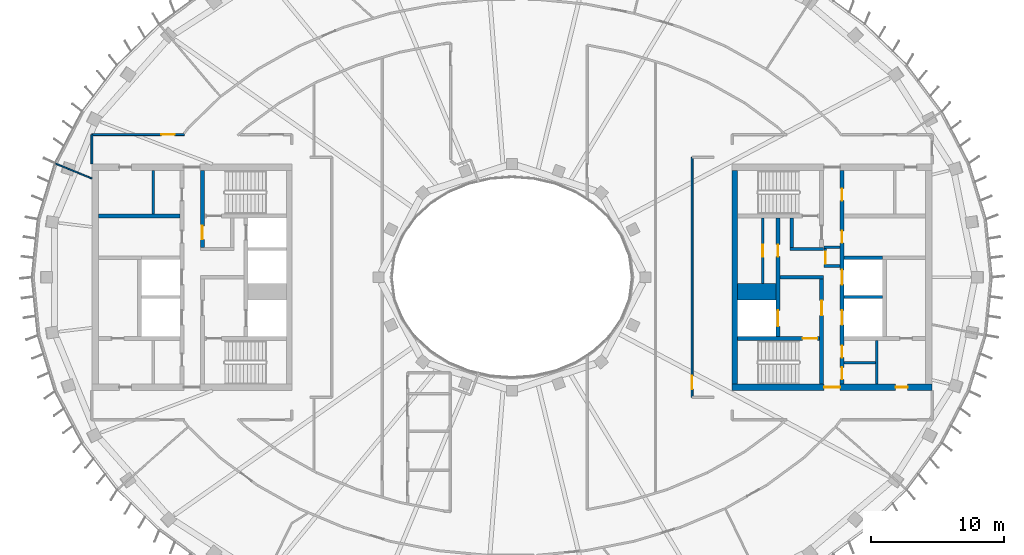
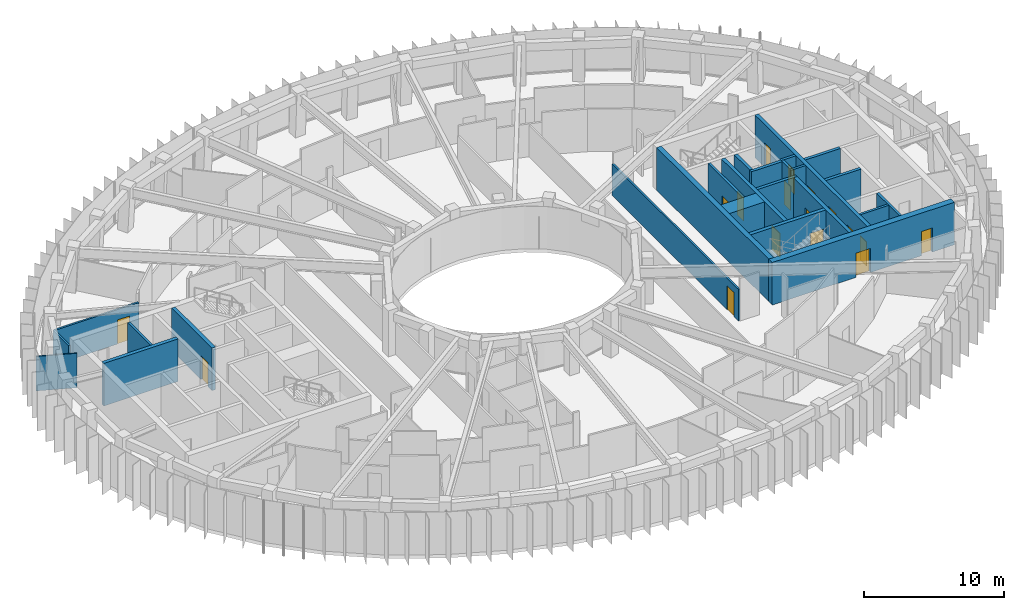
# One storey, part 5 of 13: 25 walls, 17 doors, 17 openings.
"""IFC4 building model written with IfcOpenShell, lengths in metres."""

from ifc_helpers import new_model, si_unit, direction, frame, frame_2d, origin, place, context, subcontext, project, spatial, rectangle, extrude, material, layer, layer_set, type_object, element, fill, save


model = new_model("IFC4")

# Units and contexts
model_context = context("Model", 3, precision=1e-05, world=origin(), true_north=direction((0.0, 1.0)))
body_context = subcontext(model_context, "Body", "Model", "MODEL_VIEW")
ifc_project = project(units=[si_unit("LENGTHUNIT", "METRE"), si_unit("AREAUNIT", "SQUARE_METRE"), si_unit("VOLUMEUNIT", "CUBIC_METRE"), si_unit("PLANEANGLEUNIT", "RADIAN"), si_unit("MASSUNIT", "GRAM", prefix="KILO")], contexts=[model_context])

# Site, building, storey
site_placement = place(None, origin())
site = spatial("IfcSite", under=ifc_project, at=site_placement, CompositionType="ELEMENT")
building_placement = place(site_placement, origin())
building = spatial("IfcBuilding", under=site, at=building_placement, Name="Noorbagh Ring Tower", CompositionType="ELEMENT")
storey_placement = place(building_placement, frame((0.0, 0.0, 327.0)))
storey = spatial("IfcBuildingStorey", under=building, at=storey_placement, Name="L71", CompositionType="ELEMENT", Elevation=327.0)

# Wall
ifc_material_1 = material(Name="Gypsum board on steel studs", Category="steel")
ifc_layer_1 = layer(ifc_material_1, 0.199951171875)
ifc_layer_set_1 = layer_set([ifc_layer_1], Name="Gypsum board on steel studs")
wall_type_1 = type_object("IfcWallType", Name="CORE-PARTITION-200", PredefinedType="PARTITIONING", material=ifc_layer_set_1)
wall_1_placement = place(storey_placement, frame((-26.89990234375, 4.75, 0.0), z_axis=(0.0, 0.0, 1.0), x_axis=(0.0, 1.0, 0.0)))
element("IfcWall", 1, at=wall_1_placement, inside=storey, type_object=wall_type_1, Name="Core partition W", PredefinedType="PARTITIONING", context=body_context, shape_type="SweptSolid", body=[
    extrude(rectangle(XDim=3.25, YDim=0.199951171875, at=frame_2d((1.625, 0.0))), origin(), (0.0, 0.0, 1.0), 3.699951171875),
])

# Wall, opening, door
wall_2_placement = place(storey_placement, frame((18.800048828125, -0.449951171875, 0.0), z_axis=(0.0, 0.0, 1.0), x_axis=(0.0, 1.0, 0.0)))
wall_2 = element("IfcWall", 2, at=wall_2_placement, inside=storey, type_object=wall_type_1, Name="Core partition E", PredefinedType="PARTITIONING", context=body_context, shape_type="SweptSolid", body=[
    extrude(rectangle(XDim=4.89990234375, YDim=0.199951171875, at=frame_2d((2.449951171875, 0.0))), origin(), (0.0, 0.0, 1.0), 3.699951171875),
])
opening_1_placement = place(wall_2_placement, frame((2.0, 0.0, 0.0)))
opening_1 = element("IfcOpeningElement", 3, at=opening_1_placement, cuts=wall_2, Name="Opening L71-CE11", PredefinedType="OPENING", context=body_context, shape_type="SweptSolid", body=[
    extrude(rectangle(XDim=0.89990234375, YDim=2.10009765625, at=frame_2d((0.449951171875, 1.050048828125))), frame((0.0, 0.10986328125, 0.0), z_axis=(0.0, -1.0, 0.0), x_axis=(1.0, 0.0, 0.0)), (0.0, 0.0, 1.0), 0.219970703125),
])
ifc_material_2 = material(Name="Steel door leaf", Category="steel")
door_type_1 = type_object("IfcDoorType", Name="CORE-DOOR-DROOM", OperationType="SINGLE_SWING_LEFT", PredefinedType="DOOR", material=ifc_material_2)
door_1_placement = place(opening_1_placement, origin())
door_1 = element("IfcDoor", 4, at=door_1_placement, inside=storey, type_object=door_type_1, Name="Core room door L71-CE11", OperationType="SINGLE_SWING_RIGHT", OverallHeight=2.10009765625, OverallWidth=0.89990234375, PredefinedType="DOOR", context=body_context, shape_type="SweptSolid", body=[
    extrude(rectangle(XDim=0.89990234375, YDim=2.10009765625, at=frame_2d((0.449951171875, 1.050048828125))), frame((0.0, 0.02490234375, 0.0), z_axis=(0.0, -1.0, 0.0), x_axis=(1.0, 0.0, 0.0)), (0.0, 0.0, 1.0), 0.050048828125),
])
fill(opening_1, door_1)

# Walls
for number, where, z_axis, x_axis, name in (
    (5, (23.39990234375, 0.85009765625, 0.0), (0.0, 0.0, 1.0), (1.0, 0.0, 0.0), "Core partition E"),
    (6, (23.39990234375, 2.25, 0.0), (0.0, 0.0, 1.0), (1.0, 0.0, 0.0), "Core partition E"),
):
    element("IfcWall", number, at=place(storey_placement, frame(where, z_axis=z_axis, x_axis=x_axis)), inside=storey, type_object=wall_type_1, Name=name, PredefinedType="PARTITIONING", context=body_context, shape_type="SweptSolid", body=[
        extrude(rectangle(XDim=1.2001953125, YDim=0.199951171875, at=frame_2d((0.60009765625, 0.0))), origin(), (0.0, 0.0, 1.0), 3.699951171875),
    ])

# Wall, opening, door
wall_3_placement = place(storey_placement, frame((23.5, 0.75, 0.0), z_axis=(0.0, 0.0, 1.0), x_axis=(0.0, 1.0, 0.0)))
wall_3 = element("IfcWall", 7, at=wall_3_placement, inside=storey, type_object=wall_type_1, Name="Core partition E", PredefinedType="PARTITIONING", context=body_context, shape_type="SweptSolid", body=[
    extrude(rectangle(XDim=1.60009765625, YDim=0.199951171875, at=frame_2d((0.800048828125, 0.0))), origin(), (0.0, 0.0, 1.0), 3.699951171875),
])
opening_2_placement = place(wall_3_placement, frame((0.25, 0.0, 0.0)))
opening_2 = element("IfcOpeningElement", 8, at=opening_2_placement, cuts=wall_3, Name="Opening L71-CE18", PredefinedType="OPENING", context=body_context, shape_type="SweptSolid", body=[
    extrude(rectangle(XDim=0.89990234375, YDim=2.10009765625, at=frame_2d((0.449951171875, 1.050048828125))), frame((0.0, 0.10986328125, 0.0), z_axis=(0.0, -1.0, 0.0), x_axis=(1.0, 0.0, 0.0)), (0.0, 0.0, 1.0), 0.219970703125),
])
door_2_placement = place(opening_2_placement, origin())
door_2 = element("IfcDoor", 9, at=door_2_placement, inside=storey, type_object=door_type_1, Name="Core room door L71-CE18", OperationType="SINGLE_SWING_LEFT", OverallHeight=2.10009765625, OverallWidth=0.89990234375, PredefinedType="DOOR", context=body_context, shape_type="SweptSolid", body=[
    extrude(rectangle(XDim=0.89990234375, YDim=2.10009765625, at=frame_2d((0.449951171875, 1.050048828125))), frame((0.0, 0.02490234375, 0.0), z_axis=(0.0, -1.0, 0.0), x_axis=(1.0, 0.0, 0.0)), (0.0, 0.0, 1.0), 0.050048828125),
])
fill(opening_2, door_2)

# Walls
wall_4_placement = place(storey_placement, frame((27.35009765625, -8.0, 0.0), z_axis=(0.0, 0.0, 1.0), x_axis=(0.0, 1.0, 0.0)))
element("IfcWall", 10, at=wall_4_placement, inside=storey, type_object=wall_type_1, Name="Core partition E", PredefinedType="PARTITIONING", context=body_context, shape_type="SweptSolid", body=[
    extrude(rectangle(XDim=3.25, YDim=0.199951171875, at=frame_2d((1.625, 0.0))), origin(), (0.0, 0.0, 1.0), 3.699951171875),
])
wall_5_placement = place(storey_placement, frame((24.89990234375, -6.39990234375, 0.0), z_axis=(0.0, 0.0, 1.0), x_axis=(1.0, 0.0, 0.0)))
element("IfcWall", 11, at=wall_5_placement, inside=storey, type_object=wall_type_1, Name="Core partition E", PredefinedType="PARTITIONING", context=body_context, shape_type="SweptSolid", body=[
    extrude(rectangle(XDim=2.35009765625, YDim=0.199951171875, at=frame_2d((1.175048828125, 0.0))), origin(), (0.0, 0.0, 1.0), 3.699951171875),
])
ifc_material_3 = material(Name="Concrete C50/60", Category="concrete")
ifc_layer_2 = layer(ifc_material_3, 1.25)
ifc_layer_set_2 = layer_set([ifc_layer_2], Name="Concrete C50/60")
wall_type_2 = type_object("IfcWallType", Name="CORE-WALL-1250-C50-60-EI120", PredefinedType="SHEAR", material=ifc_layer_set_2)
wall_6_placement = place(storey_placement, frame((16.89990234375, -1.074951171875, 0.0), z_axis=(0.0, 0.0, 1.0), x_axis=(1.0, 0.0, 0.0)))
element("IfcWall", 12, at=wall_6_placement, inside=storey, type_object=wall_type_2, Name="Core wall E", PredefinedType="SHEAR", context=body_context, shape_type="SweptSolid", body=[
    extrude(rectangle(XDim=2.900146484375, YDim=1.25, at=frame_2d((1.4501953125, 0.0))), origin(), (0.0, 0.0, 1.0), 3.699951171875),
])
ifc_material_4 = material(Name="Concrete C50/60", Category="concrete")
ifc_layer_3 = layer(ifc_material_4, 0.25)
ifc_layer_set_3 = layer_set([ifc_layer_3], Name="Concrete C50/60")
wall_type_3 = type_object("IfcWallType", Name="CORE-WALL-250-C50-60-EI120", PredefinedType="SHEAR", material=ifc_layer_set_3)
for number, where, z_axis, x_axis, name in (
    (13, (24.89990234375, -1.47509765625, 0.0), (0.0, 0.0, 1.0), (1.0, 0.0, 0.0), "Core wall E"),
    (14, (24.89990234375, 1.47509765625, 0.0), (0.0, 0.0, 1.0), (1.0, 0.0, 0.0), "Core wall E"),
):
    element("IfcWall", number, at=place(storey_placement, frame(where, z_axis=z_axis, x_axis=x_axis)), inside=storey, type_object=wall_type_3, Name=name, PredefinedType="SHEAR", context=body_context, shape_type="SweptSolid", body=[
        extrude(rectangle(XDim=2.900146484375, YDim=0.25, at=frame_2d((1.4501953125, 0.0))), origin(), (0.0, 0.0, 1.0), 3.699951171875),
    ])
ifc_material_5 = material(Name="Concrete C50/60", Category="concrete")
ifc_layer_4 = layer(ifc_material_5, 0.25)
ifc_layer_set_4 = layer_set([ifc_layer_4], Name="Concrete C50/60")
wall_type_4 = type_object("IfcWallType", Name="CORE-WALL-250-C50-60-EI240", PredefinedType="SHEAR", material=ifc_layer_set_4)
wall_7_placement = place(storey_placement, frame((20.10009765625, 0.0, 0.0), z_axis=(0.0, 0.0, 1.0), x_axis=(1.0, 0.0, 0.0)))
element("IfcWall", 15, at=wall_7_placement, inside=storey, type_object=wall_type_4, Name="Core wall E", PredefinedType="SHEAR", context=body_context, shape_type="SweptSolid", body=[
    extrude(rectangle(XDim=3.27978515625, YDim=0.25, at=frame_2d((1.639892578125, 0.0))), origin(), (0.0, 0.0, 1.0), 3.699951171875),
])
wall_8_placement = place(storey_placement, frame((20.85009765625, 2.125, 0.0), z_axis=(0.0, 0.0, 1.0), x_axis=(1.0, 0.0, 0.0)))
element("IfcWall", 16, at=wall_8_placement, inside=storey, type_object=wall_type_4, Name="Core wall E", PredefinedType="SHEAR", context=body_context, shape_type="SweptSolid", body=[
    extrude(rectangle(XDim=2.52978515625, YDim=0.25, at=frame_2d((1.264892578125, 0.0))), origin(), (0.0, 0.0, 1.0), 3.699951171875),
])
wall_9_placement = place(storey_placement, frame((20.97509765625, 2.25, 0.0), z_axis=(0.0, 0.0, 1.0), x_axis=(0.0, 1.0, 0.0)))
element("IfcWall", 17, at=wall_9_placement, inside=storey, type_object=wall_type_4, Name="Core wall E", PredefinedType="SHEAR", context=body_context, shape_type="SweptSolid", body=[
    extrude(rectangle(XDim=2.199951171875, YDim=0.25, at=frame_2d((1.10009765625, 0.0))), origin(), (0.0, 0.0, 1.0), 3.699951171875),
])

# Wall, openings, doors
ifc_material_6 = material(Name="Concrete C50/60", Category="concrete")
ifc_layer_5 = layer(ifc_material_6, 0.300048828125)
ifc_layer_set_5 = layer_set([ifc_layer_5], Name="Concrete C50/60")
wall_type_5 = type_object("IfcWallType", Name="CORE-WALL-300-C50-60-EI120", PredefinedType="SHEAR", material=ifc_layer_set_5)
wall_10_placement = place(storey_placement, frame((19.949951171875, -4.449951171875, 0.0), z_axis=(0.0, 0.0, 1.0), x_axis=(0.0, 1.0, 0.0)))
wall_10 = element("IfcWall", 18, at=wall_10_placement, inside=storey, type_object=wall_type_5, Name="Core wall E", PredefinedType="SHEAR", context=body_context, shape_type="SweptSolid", body=[
    extrude(rectangle(XDim=8.89990234375, YDim=0.300048828125, at=frame_2d((4.449951171875, 0.0))), origin(), (0.0, 0.0, 1.0), 3.699951171875),
])
opening_3_placement = place(wall_10_placement, frame((0.77490234375, 0.0, 0.0)))
opening_3 = element("IfcOpeningElement", 19, at=opening_3_placement, cuts=wall_10, Name="Opening L71-CE01", PredefinedType="OPENING", context=body_context, shape_type="SweptSolid", body=[
    extrude(rectangle(XDim=1.199951171875, YDim=2.10009765625, at=frame_2d((0.60009765625, 1.050048828125))), frame((0.0, 0.16015625, 0.0), z_axis=(0.0, -1.0, 0.0), x_axis=(1.0, 0.0, 0.0)), (0.0, 0.0, 1.0), 0.320068359375),
])
opening_4_placement = place(wall_10_placement, frame((6.0, 0.0, 0.0)))
opening_4 = element("IfcOpeningElement", 20, at=opening_4_placement, cuts=wall_10, Name="Opening L71-CE10", PredefinedType="OPENING", context=body_context, shape_type="SweptSolid", body=[
    extrude(rectangle(XDim=0.89990234375, YDim=2.10009765625, at=frame_2d((0.449951171875, 1.050048828125))), frame((0.0, 0.16015625, 0.0), z_axis=(0.0, -1.0, 0.0), x_axis=(1.0, 0.0, 0.0)), (0.0, 0.0, 1.0), 0.320068359375),
])
door_3_placement = place(opening_4_placement, origin())
door_3 = element("IfcDoor", 21, at=door_3_placement, inside=storey, type_object=door_type_1, Name="Core room door L71-CE10", OperationType="SINGLE_SWING_RIGHT", OverallHeight=2.10009765625, OverallWidth=0.89990234375, PredefinedType="DOOR", context=body_context, shape_type="SweptSolid", body=[
    extrude(rectangle(XDim=0.89990234375, YDim=2.10009765625, at=frame_2d((0.449951171875, 1.050048828125))), frame((0.0, 0.02490234375, 0.0), z_axis=(0.0, -1.0, 0.0), x_axis=(1.0, 0.0, 0.0)), (0.0, 0.0, 1.0), 0.050048828125),
])
fill(opening_4, door_3)
ifc_material_7 = material(Name="Steel door leaf", Category="steel")
door_type_2 = type_object("IfcDoorType", Name="CORE-DOOR-LDW", OperationType="DOUBLE_DOOR_SLIDING", PredefinedType="DOOR", material=ifc_material_7)
door_4_placement = place(opening_3_placement, origin())
door_4 = element("IfcDoor", 22, at=door_4_placement, inside=storey, type_object=door_type_2, Name="Landing door FF2 L71-CE01", OperationType="DOUBLE_DOOR_SLIDING", OverallHeight=2.10009765625, OverallWidth=1.199951171875, PredefinedType="DOOR", context=body_context, shape_type="SweptSolid", body=[
    extrude(rectangle(XDim=1.199951171875, YDim=2.10009765625, at=frame_2d((0.60009765625, 1.050048828125))), frame((0.0, 0.02490234375, 0.0), z_axis=(0.0, -1.0, 0.0), x_axis=(1.0, 0.0, 0.0)), (0.0, 0.0, 1.0), 0.050048828125),
])
fill(opening_3, door_4)

wall_11_placement = place(storey_placement, frame((24.75, -8.0, 0.0), z_axis=(0.0, 0.0, 1.0), x_axis=(0.0, 1.0, 0.0)))
wall_11 = element("IfcWall", 23, at=wall_11_placement, inside=storey, type_object=wall_type_5, Name="Core wall E", PredefinedType="SHEAR", context=body_context, shape_type="SweptSolid", body=[
    extrude(rectangle(XDim=16.0, YDim=0.300048828125, at=frame_2d((8.0, 0.0))), origin(), (0.0, 0.0, 1.0), 3.699951171875),
])
opening_5_placement = place(wall_11_placement, frame((4.425048828125, 0.0, 0.0)))
opening_5 = element("IfcOpeningElement", 24, at=opening_5_placement, cuts=wall_11, Name="Opening L71-CE02", PredefinedType="OPENING", context=body_context, shape_type="SweptSolid", body=[
    extrude(rectangle(XDim=1.10009765625, YDim=2.10009765625, at=frame_2d((0.550048828125, 1.050048828125))), frame((0.0, 0.16015625, 0.0), z_axis=(0.0, -1.0, 0.0), x_axis=(1.0, 0.0, 0.0)), (0.0, 0.0, 1.0), 0.320068359375),
])
opening_6_placement = place(wall_11_placement, frame((7.449951171875, 0.0, 0.0)))
opening_6 = element("IfcOpeningElement", 25, at=opening_6_placement, cuts=wall_11, Name="Opening L71-CE03", PredefinedType="OPENING", context=body_context, shape_type="SweptSolid", body=[
    extrude(rectangle(XDim=1.10009765625, YDim=2.10009765625, at=frame_2d((0.550048828125, 1.050048828125))), frame((0.0, 0.16015625, 0.0), z_axis=(0.0, -1.0, 0.0), x_axis=(1.0, 0.0, 0.0)), (0.0, 0.0, 1.0), 0.320068359375),
])
opening_7_placement = place(wall_11_placement, frame((10.574951171875, 0.0, 0.0)))
opening_7 = element("IfcOpeningElement", 26, at=opening_7_placement, cuts=wall_11, Name="Opening L71-CE12", PredefinedType="OPENING", context=body_context, shape_type="SweptSolid", body=[
    extrude(rectangle(XDim=0.89990234375, YDim=2.10009765625, at=frame_2d((0.449951171875, 1.050048828125))), frame((0.0, 0.16015625, 0.0), z_axis=(0.0, -1.0, 0.0), x_axis=(1.0, 0.0, 0.0)), (0.0, 0.0, 1.0), 0.320068359375),
])
opening_8_placement = place(wall_11_placement, frame((13.75, 0.0, 0.0)))
opening_8 = element("IfcOpeningElement", 27, at=opening_8_placement, cuts=wall_11, Name="Opening L71-CE13", PredefinedType="OPENING", context=body_context, shape_type="SweptSolid", body=[
    extrude(rectangle(XDim=0.89990234375, YDim=2.10009765625, at=frame_2d((0.449951171875, 1.050048828125))), frame((0.0, 0.16015625, 0.0), z_axis=(0.0, -1.0, 0.0), x_axis=(1.0, 0.0, 0.0)), (0.0, 0.0, 1.0), 0.320068359375),
])
opening_9_placement = place(wall_11_placement, frame((1.97509765625, 0.0, 0.0)))
opening_9 = element("IfcOpeningElement", 28, at=opening_9_placement, cuts=wall_11, Name="Opening L71-CE15", PredefinedType="OPENING", context=body_context, shape_type="SweptSolid", body=[
    extrude(rectangle(XDim=0.89990234375, YDim=2.10009765625, at=frame_2d((0.449951171875, 1.050048828125))), frame((0.0, 0.16015625, 0.0), z_axis=(0.0, -1.0, 0.0), x_axis=(1.0, 0.0, 0.0)), (0.0, 0.0, 1.0), 0.320068359375),
])
opening_10_placement = place(wall_11_placement, frame((0.35009765625, 0.0, 0.0)))
opening_10 = element("IfcOpeningElement", 29, at=opening_10_placement, cuts=wall_11, Name="Opening L71-CE16", PredefinedType="OPENING", context=body_context, shape_type="SweptSolid", body=[
    extrude(rectangle(XDim=0.89990234375, YDim=2.10009765625, at=frame_2d((0.449951171875, 1.050048828125))), frame((0.0, 0.16015625, 0.0), z_axis=(0.0, -1.0, 0.0), x_axis=(1.0, 0.0, 0.0)), (0.0, 0.0, 1.0), 0.320068359375),
])
door_5_placement = place(opening_7_placement, origin())
door_5 = element("IfcDoor", 30, at=door_5_placement, inside=storey, type_object=door_type_1, Name="Core room door L71-CE12", OperationType="SINGLE_SWING_LEFT", OverallHeight=2.10009765625, OverallWidth=0.89990234375, PredefinedType="DOOR", context=body_context, shape_type="SweptSolid", body=[
    extrude(rectangle(XDim=0.89990234375, YDim=2.10009765625, at=frame_2d((0.449951171875, 1.050048828125))), frame((0.0, 0.02490234375, 0.0), z_axis=(0.0, -1.0, 0.0), x_axis=(1.0, 0.0, 0.0)), (0.0, 0.0, 1.0), 0.050048828125),
])
fill(opening_7, door_5)
door_6_placement = place(opening_8_placement, origin())
door_6 = element("IfcDoor", 31, at=door_6_placement, inside=storey, type_object=door_type_1, Name="Core room door L71-CE13", OperationType="SINGLE_SWING_LEFT", OverallHeight=2.10009765625, OverallWidth=0.89990234375, PredefinedType="DOOR", context=body_context, shape_type="SweptSolid", body=[
    extrude(rectangle(XDim=0.89990234375, YDim=2.10009765625, at=frame_2d((0.449951171875, 1.050048828125))), frame((0.0, 0.02490234375, 0.0), z_axis=(0.0, -1.0, 0.0), x_axis=(1.0, 0.0, 0.0)), (0.0, 0.0, 1.0), 0.050048828125),
])
fill(opening_8, door_6)
door_7_placement = place(opening_9_placement, origin())
door_7 = element("IfcDoor", 32, at=door_7_placement, inside=storey, type_object=door_type_1, Name="Core room door L71-CE15", OperationType="SINGLE_SWING_LEFT", OverallHeight=2.10009765625, OverallWidth=0.89990234375, PredefinedType="DOOR", context=body_context, shape_type="SweptSolid", body=[
    extrude(rectangle(XDim=0.89990234375, YDim=2.10009765625, at=frame_2d((0.449951171875, 1.050048828125))), frame((0.0, 0.02490234375, 0.0), z_axis=(0.0, -1.0, 0.0), x_axis=(1.0, 0.0, 0.0)), (0.0, 0.0, 1.0), 0.050048828125),
])
fill(opening_9, door_7)
door_8_placement = place(opening_10_placement, origin())
door_8 = element("IfcDoor", 33, at=door_8_placement, inside=storey, type_object=door_type_1, Name="Core room door L71-CE16", OperationType="SINGLE_SWING_RIGHT", OverallHeight=2.10009765625, OverallWidth=0.89990234375, PredefinedType="DOOR", context=body_context, shape_type="SweptSolid", body=[
    extrude(rectangle(XDim=0.89990234375, YDim=2.10009765625, at=frame_2d((0.449951171875, 1.050048828125))), frame((0.0, 0.02490234375, 0.0), z_axis=(0.0, -1.0, 0.0), x_axis=(1.0, 0.0, 0.0)), (0.0, 0.0, 1.0), 0.050048828125),
])
fill(opening_10, door_8)
ifc_material_8 = material(Name="Steel door leaf", Category="steel")
door_type_3 = type_object("IfcDoorType", Name="CORE-DOOR-LD", OperationType="DOUBLE_DOOR_SLIDING", PredefinedType="DOOR", material=ifc_material_8)
door_9_placement = place(opening_5_placement, origin())
door_9 = element("IfcDoor", 34, at=door_9_placement, inside=storey, type_object=door_type_3, Name="Landing door HR12 L71-CE02", OperationType="DOUBLE_DOOR_SLIDING", OverallHeight=2.10009765625, OverallWidth=1.10009765625, PredefinedType="DOOR", context=body_context, shape_type="SweptSolid", body=[
    extrude(rectangle(XDim=1.10009765625, YDim=2.10009765625, at=frame_2d((0.550048828125, 1.050048828125))), frame((0.0, 0.02490234375, 0.0), z_axis=(0.0, -1.0, 0.0), x_axis=(1.0, 0.0, 0.0)), (0.0, 0.0, 1.0), 0.050048828125),
])
fill(opening_5, door_9)
door_10_placement = place(opening_6_placement, origin())
door_10 = element("IfcDoor", 35, at=door_10_placement, inside=storey, type_object=door_type_3, Name="Landing door HR13 L71-CE03", OperationType="DOUBLE_DOOR_SLIDING", OverallHeight=2.10009765625, OverallWidth=1.10009765625, PredefinedType="DOOR", context=body_context, shape_type="SweptSolid", body=[
    extrude(rectangle(XDim=1.10009765625, YDim=2.10009765625, at=frame_2d((0.550048828125, 1.050048828125))), frame((0.0, 0.02490234375, 0.0), z_axis=(0.0, -1.0, 0.0), x_axis=(1.0, 0.0, 0.0)), (0.0, 0.0, 1.0), 0.050048828125),
])
fill(opening_6, door_10)

# Wall
ifc_material_9 = material(Name="Concrete C50/60", Category="concrete")
ifc_layer_6 = layer(ifc_material_9, 0.300048828125)
ifc_layer_set_6 = layer_set([ifc_layer_6], Name="Concrete C50/60")
wall_type_6 = type_object("IfcWallType", Name="CORE-WALL-300-C50-60-EI240", PredefinedType="SHEAR", material=ifc_layer_set_6)
wall_12_placement = place(storey_placement, frame((-24.89990234375, 4.60009765625, 0.0), z_axis=(0.0, 0.0, 1.0), x_axis=(-1.0, 0.0, 0.0)))
element("IfcWall", 36, at=wall_12_placement, inside=storey, type_object=wall_type_6, Name="Core wall W", PredefinedType="SHEAR", context=body_context, shape_type="SweptSolid", body=[
    extrude(rectangle(XDim=6.10009765625, YDim=0.300048828125, at=frame_2d((3.050048828125, 0.0))), origin(), (0.0, 0.0, 1.0), 3.699951171875),
])

# Wall, opening, door
wall_13_placement = place(storey_placement, frame((-23.22998046875, 2.25, 0.0), z_axis=(0.0, 0.0, 1.0), x_axis=(0.0, 1.0, 0.0)))
wall_13 = element("IfcWall", 37, at=wall_13_placement, inside=storey, type_object=wall_type_6, Name="Core wall W", PredefinedType="SHEAR", context=body_context, shape_type="SweptSolid", body=[
    extrude(rectangle(XDim=5.75, YDim=0.300048828125, at=frame_2d((2.875, 0.0))), origin(), (0.0, 0.0, 1.0), 3.699951171875),
])
opening_11_placement = place(wall_13_placement, frame((0.60009765625, 0.0, 0.0)))
opening_11 = element("IfcOpeningElement", 38, at=opening_11_placement, cuts=wall_13, Name="Opening L71-CW08", PredefinedType="OPENING", context=body_context, shape_type="SweptSolid", body=[
    extrude(rectangle(XDim=1.0, YDim=2.10009765625, at=frame_2d((0.5, 1.050048828125))), frame((0.0, 0.16015625, 0.0), z_axis=(0.0, -1.0, 0.0), x_axis=(1.0, 0.0, 0.0)), (0.0, 0.0, 1.0), 0.320068359375),
])
ifc_material_10 = material(Name="Steel door leaf", Category="steel")
door_type_4 = type_object("IfcDoorType", Name="CORE-DOOR-DVEST", OperationType="SINGLE_SWING_LEFT", PredefinedType="DOOR", material=ifc_material_10)
door_11_placement = place(opening_11_placement, origin())
door_11 = element("IfcDoor", 39, at=door_11_placement, inside=storey, type_object=door_type_4, Name="Stair vestibule door L71-CW08", OperationType="SINGLE_SWING_LEFT", OverallHeight=2.10009765625, OverallWidth=1.0, PredefinedType="DOOR", context=body_context, shape_type="SweptSolid", body=[
    extrude(rectangle(XDim=1.0, YDim=2.10009765625, at=frame_2d((0.5, 1.050048828125))), frame((0.0, 0.02490234375, 0.0), z_axis=(0.0, -1.0, 0.0), x_axis=(1.0, 0.0, 0.0)), (0.0, 0.0, 1.0), 0.050048828125),
])
fill(opening_11, door_11)

wall_14_placement = place(storey_placement, frame((23.22998046875, -8.0, 0.0), z_axis=(0.0, 0.0, 1.0), x_axis=(0.0, 1.0, 0.0)))
wall_14 = element("IfcWall", 40, at=wall_14_placement, inside=storey, type_object=wall_type_6, Name="Core wall E", PredefinedType="SHEAR", context=body_context, shape_type="SweptSolid", body=[
    extrude(rectangle(XDim=7.875, YDim=0.300048828125, at=frame_2d((3.9375, 0.0))), origin(), (0.0, 0.0, 1.0), 3.699951171875),
])
opening_12_placement = place(wall_14_placement, frame((5.14990234375, 0.0, 0.0)))
opening_12 = element("IfcOpeningElement", 41, at=opening_12_placement, cuts=wall_14, Name="Opening L71-CE06", PredefinedType="OPENING", context=body_context, shape_type="SweptSolid", body=[
    extrude(rectangle(XDim=1.10009765625, YDim=2.10009765625, at=frame_2d((0.550048828125, 1.050048828125))), frame((0.0, 0.16015625, 0.0), z_axis=(0.0, -1.0, 0.0), x_axis=(1.0, 0.0, 0.0)), (0.0, 0.0, 1.0), 0.320068359375),
])
ifc_material_11 = material(Name="Steel door leaf", Category="steel")
door_type_5 = type_object("IfcDoorType", Name="CORE-DOOR-DFF", OperationType="SINGLE_SWING_LEFT", PredefinedType="DOOR", material=ifc_material_11)
door_12_placement = place(opening_12_placement, origin())
door_12 = element("IfcDoor", 42, at=door_12_placement, inside=storey, type_object=door_type_5, Name="Firefighting lobby door L71-CE06", OperationType="SINGLE_SWING_RIGHT", OverallHeight=2.10009765625, OverallWidth=1.10009765625, PredefinedType="DOOR", context=body_context, shape_type="SweptSolid", body=[
    extrude(rectangle(XDim=1.10009765625, YDim=2.10009765625, at=frame_2d((0.550048828125, 1.050048828125))), frame((0.0, 0.02490234375, 0.0), z_axis=(0.0, -1.0, 0.0), x_axis=(1.0, 0.0, 0.0)), (0.0, 0.0, 1.0), 0.050048828125),
])
fill(opening_12, door_12)

wall_15_placement = place(storey_placement, frame((16.89990234375, -4.60009765625, 0.0), z_axis=(0.0, 0.0, 1.0), x_axis=(1.0, 0.0, 0.0)))
wall_15 = element("IfcWall", 43, at=wall_15_placement, inside=storey, type_object=wall_type_6, Name="Core wall E", PredefinedType="SHEAR", context=body_context, shape_type="SweptSolid", body=[
    extrude(rectangle(XDim=6.18017578125, YDim=0.300048828125, at=frame_2d((3.090087890625, 0.0))), origin(), (0.0, 0.0, 1.0), 3.699951171875),
])
opening_13_placement = place(wall_15_placement, frame((4.89990234375, 0.0, 0.0)))
opening_13 = element("IfcOpeningElement", 44, at=opening_13_placement, cuts=wall_15, Name="Opening L71-CE05", PredefinedType="OPENING", context=body_context, shape_type="SweptSolid", body=[
    extrude(rectangle(XDim=1.10009765625, YDim=2.10009765625, at=frame_2d((0.550048828125, 1.050048828125))), frame((0.0, 0.16015625, 0.0), z_axis=(0.0, -1.0, 0.0), x_axis=(1.0, 0.0, 0.0)), (0.0, 0.0, 1.0), 0.320068359375),
])
ifc_material_12 = material(Name="Steel door leaf", Category="steel")
door_type_6 = type_object("IfcDoorType", Name="CORE-DOOR-DSTAIR", OperationType="SINGLE_SWING_LEFT", PredefinedType="DOOR", material=ifc_material_12)
door_13_placement = place(opening_13_placement, origin())
door_13 = element("IfcDoor", 45, at=door_13_placement, inside=storey, type_object=door_type_6, Name="Stair door ST4 L71-CE05", OperationType="SINGLE_SWING_RIGHT", OverallHeight=2.10009765625, OverallWidth=1.10009765625, PredefinedType="DOOR", context=body_context, shape_type="SweptSolid", body=[
    extrude(rectangle(XDim=1.10009765625, YDim=2.10009765625, at=frame_2d((0.550048828125, 1.050048828125))), frame((0.0, 0.02490234375, 0.0), z_axis=(0.0, -1.0, 0.0), x_axis=(1.0, 0.0, 0.0)), (0.0, 0.0, 1.0), 0.050048828125),
])
fill(opening_13, door_13)

# Wall
ifc_material_13 = material(Name="Concrete C50/60", Category="concrete")
ifc_layer_7 = layer(ifc_material_13, 0.39990234375)
ifc_layer_set_7 = layer_set([ifc_layer_7], Name="Concrete C50/60")
wall_type_7 = type_object("IfcWallType", Name="CORE-WALL-400-C50-60-EI240", PredefinedType="SHEAR", material=ifc_layer_set_7)
wall_16_placement = place(storey_placement, frame((16.699951171875, -8.0, 0.0), z_axis=(0.0, 0.0, 1.0), x_axis=(0.0, 1.0, 0.0)))
element("IfcWall", 46, at=wall_16_placement, inside=storey, type_object=wall_type_7, Name="Core wall E", PredefinedType="SHEAR", context=body_context, shape_type="SweptSolid", body=[
    extrude(rectangle(XDim=16.0, YDim=0.39990234375, at=frame_2d((8.0, 0.0))), origin(), (0.0, 0.0, 1.0), 3.699951171875),
])

# Wall, openings, doors
ifc_material_14 = material(Name="Concrete C50/60", Category="concrete")
ifc_layer_8 = layer(ifc_material_14, 0.5)
ifc_layer_set_8 = layer_set([ifc_layer_8], Name="Concrete C50/60")
wall_type_8 = type_object("IfcWallType", Name="CORE-WALL-500-C50-60-EI240", PredefinedType="SHEAR", material=ifc_layer_set_8)
wall_17_placement = place(storey_placement, frame((16.5, -8.25, 0.0), z_axis=(0.0, 0.0, 1.0), x_axis=(1.0, 0.0, 0.0)))
wall_17 = element("IfcWall", 47, at=wall_17_placement, inside=storey, type_object=wall_type_8, Name="Core wall E", PredefinedType="SHEAR", context=body_context, shape_type="SweptSolid", body=[
    extrude(rectangle(XDim=15.0, YDim=0.5, at=frame_2d((7.5, 0.0))), origin(), (0.0, 0.0, 1.0), 3.699951171875),
])
opening_14_placement = place(wall_17_placement, frame((6.89990234375, 0.0, 0.0)))
opening_14 = element("IfcOpeningElement", 48, at=opening_14_placement, cuts=wall_17, Name="Opening L71-CE09", PredefinedType="OPENING", context=body_context, shape_type="SweptSolid", body=[
    extrude(rectangle(XDim=1.199951171875, YDim=2.10009765625, at=frame_2d((0.60009765625, 1.050048828125))), frame((0.0, 0.260009765625, 0.0), z_axis=(0.0, -1.0, 0.0), x_axis=(1.0, 0.0, 0.0)), (0.0, 0.0, 1.0), 0.52001953125),
])
opening_15_placement = place(wall_17_placement, frame((12.27490234375, 0.0, 0.0)))
opening_15 = element("IfcOpeningElement", 49, at=opening_15_placement, cuts=wall_17, Name="Opening L71-CE17", PredefinedType="OPENING", context=body_context, shape_type="SweptSolid", body=[
    extrude(rectangle(XDim=0.89990234375, YDim=2.10009765625, at=frame_2d((0.449951171875, 1.050048828125))), frame((0.0, 0.260009765625, 0.0), z_axis=(0.0, -1.0, 0.0), x_axis=(1.0, 0.0, 0.0)), (0.0, 0.0, 1.0), 0.52001953125),
])
door_14_placement = place(opening_15_placement, origin())
door_14 = element("IfcDoor", 50, at=door_14_placement, inside=storey, type_object=door_type_1, Name="Core room door L71-CE17", OperationType="SINGLE_SWING_RIGHT", OverallHeight=2.10009765625, OverallWidth=0.89990234375, PredefinedType="DOOR", context=body_context, shape_type="SweptSolid", body=[
    extrude(rectangle(XDim=0.89990234375, YDim=2.10009765625, at=frame_2d((0.449951171875, 1.050048828125))), frame((0.0, 0.02490234375, 0.0), z_axis=(0.0, -1.0, 0.0), x_axis=(1.0, 0.0, 0.0)), (0.0, 0.0, 1.0), 0.050048828125),
])
fill(opening_15, door_14)
ifc_material_15 = material(Name="Steel door leaf", Category="steel")
door_type_7 = type_object("IfcDoorType", Name="CORE-DOOR-PORT", OperationType="DOUBLE_DOOR_DOUBLE_SWING", PredefinedType="DOOR", material=ifc_material_15)
door_15_placement = place(opening_14_placement, origin())
door_15 = element("IfcDoor", 51, at=door_15_placement, inside=storey, type_object=door_type_7, Name="Core entrance door L71-CE09", OperationType="DOUBLE_DOOR_DOUBLE_SWING", OverallHeight=2.10009765625, OverallWidth=1.199951171875, PredefinedType="DOOR", context=body_context, shape_type="SweptSolid", body=[
    extrude(rectangle(XDim=1.199951171875, YDim=2.10009765625, at=frame_2d((0.60009765625, 1.050048828125))), frame((0.0, 0.02490234375, 0.0), z_axis=(0.0, -1.0, 0.0), x_axis=(1.0, 0.0, 0.0)), (0.0, 0.0, 1.0), 0.050048828125),
])
fill(opening_14, door_15)

# Wall
ifc_material_16 = material(Name="Gypsum board on steel studs", Category="steel")
ifc_layer_9 = layer(ifc_material_16, 0.14990234375)
ifc_layer_set_9 = layer_set([ifc_layer_9], Name="Gypsum board on steel studs")
wall_type_9 = type_object("IfcWallType", Name="CORRIDOR PARTITION 150 EI 30", PredefinedType="PARTITIONING", material=ifc_layer_set_9)
wall_18_placement = place(storey_placement, frame((-31.5, 8.5, 0.0), z_axis=(0.0, 0.0, 1.0), x_axis=(0.0, 1.0, 0.0)))
element("IfcWall", 52, at=wall_18_placement, inside=storey, type_object=wall_type_9, Name="L71/wall/P04", PredefinedType="PARTITIONING", context=body_context, shape_type="SweptSolid", body=[
    extrude(rectangle(XDim=2.199951171875, YDim=0.14990234375, at=frame_2d((1.10009765625, 0.0))), origin(), (0.0, 0.0, 1.0), 3.0),
])

# Wall, opening, door
wall_19_placement = place(storey_placement, frame((-31.5, 10.699951171875, 0.0), z_axis=(0.0, 0.0, 1.0), x_axis=(1.0, 0.0, 0.0)))
wall_19 = element("IfcWall", 53, at=wall_19_placement, inside=storey, type_object=wall_type_9, Name="L71/wall/P05", PredefinedType="PARTITIONING", context=body_context, shape_type="SweptSolid", body=[
    extrude(rectangle(XDim=6.93310546875, YDim=0.14990234375, at=frame_2d((3.466552734375, 0.0))), origin(), (0.0, 0.0, 1.0), 3.0),
])
opening_16_placement = place(wall_19_placement, frame((5.18896484375, 0.0, 0.0)))
opening_16 = element("IfcOpeningElement", 54, at=opening_16_placement, cuts=wall_19, Name="Opening D1", PredefinedType="OPENING", context=body_context, shape_type="SweptSolid", body=[
    extrude(rectangle(XDim=1.0, YDim=2.10009765625, at=frame_2d((0.5, 1.050048828125))), frame((0.0, 0.0849609375, 0.0), z_axis=(0.0, -1.0, 0.0), x_axis=(1.0, 0.0, 0.0)), (0.0, 0.0, 1.0), 0.169921875),
])
ifc_material_17 = material(Name="Timber, painted", Category="wood")
door_type_8 = type_object("IfcDoorType", Name="DOOR 1000 X 2100 FD30", OperationType="SINGLE_SWING_LEFT", PredefinedType="DOOR", material=ifc_material_17)
door_16_placement = place(opening_16_placement, origin())
door_16 = element("IfcDoor", 55, at=door_16_placement, inside=storey, type_object=door_type_8, Name="L71-D07", OperationType="SINGLE_SWING_LEFT", OverallHeight=2.10009765625, OverallWidth=1.0, PredefinedType="DOOR", context=body_context, shape_type="SweptSolid", body=[
    extrude(rectangle(XDim=1.0, YDim=2.10009765625, at=frame_2d((0.5, 1.050048828125))), frame((0.0, 0.02490234375, 0.0), z_axis=(0.0, -1.0, 0.0), x_axis=(1.0, 0.0, 0.0)), (0.0, 0.0, 1.0), 0.050048828125),
])
fill(opening_16, door_16)

wall_20_placement = place(storey_placement, frame((13.5, -9.0, 0.0), z_axis=(0.0, 0.0, 1.0), x_axis=(0.0, 1.0, 0.0)))
wall_20 = element("IfcWall", 56, at=wall_20_placement, inside=storey, type_object=wall_type_9, Name="L71/wall/P88", PredefinedType="PARTITIONING", context=body_context, shape_type="SweptSolid", body=[
    extrude(rectangle(XDim=18.0, YDim=0.14990234375, at=frame_2d((9.0, 0.0))), origin(), (0.0, 0.0, 1.0), 2.75),
])
opening_17_placement = place(wall_20_placement, frame((0.60009765625, 0.0, 0.0)))
opening_17 = element("IfcOpeningElement", 57, at=opening_17_placement, cuts=wall_20, Name="Opening D1", PredefinedType="OPENING", context=body_context, shape_type="SweptSolid", body=[
    extrude(rectangle(XDim=1.0, YDim=2.10009765625, at=frame_2d((0.5, 1.050048828125))), frame((0.0, 0.0849609375, 0.0), z_axis=(0.0, -1.0, 0.0), x_axis=(1.0, 0.0, 0.0)), (0.0, 0.0, 1.0), 0.169921875),
])
door_17_placement = place(opening_17_placement, origin())
door_17 = element("IfcDoor", 58, at=door_17_placement, inside=storey, type_object=door_type_8, Name="L71-D24", OperationType="SINGLE_SWING_RIGHT", OverallHeight=2.10009765625, OverallWidth=1.0, PredefinedType="DOOR", context=body_context, shape_type="SweptSolid", body=[
    extrude(rectangle(XDim=1.0, YDim=2.10009765625, at=frame_2d((0.5, 1.050048828125))), frame((0.0, 0.02490234375, 0.0), z_axis=(0.0, -1.0, 0.0), x_axis=(1.0, 0.0, 0.0)), (0.0, 0.0, 1.0), 0.050048828125),
])
fill(opening_17, door_17)

# Wall
ifc_material_18 = material(Name="Gypsum board on steel studs", Category="steel")
ifc_layer_10 = layer(ifc_material_18, 0.10009765625)
ifc_layer_set_10 = layer_set([ifc_layer_10], Name="Gypsum board on steel studs")
wall_type_10 = type_object("IfcWallType", Name="PARTITION 100 GYPSUM", PredefinedType="PARTITIONING", material=ifc_layer_set_10)
wall_21_placement = place(storey_placement, frame((-34.23388671875, 8.530029296875, 0.0), z_axis=(0.0, 0.0, 1.0), x_axis=(0.925344112436, -0.379128307542, 0.0)))
element("IfcWall", 59, at=wall_21_placement, inside=storey, type_object=wall_type_10, Name="L71/wall/P01", PredefinedType="PARTITIONING", context=body_context, shape_type="SweptSolid", body=[
    extrude(rectangle(XDim=2.954345703125, YDim=0.10009765625, at=frame_2d((1.47705078125, 0.0))), origin(), (0.0, 0.0, 1.0), 3.0),
])

save(model, "model.ifc")
